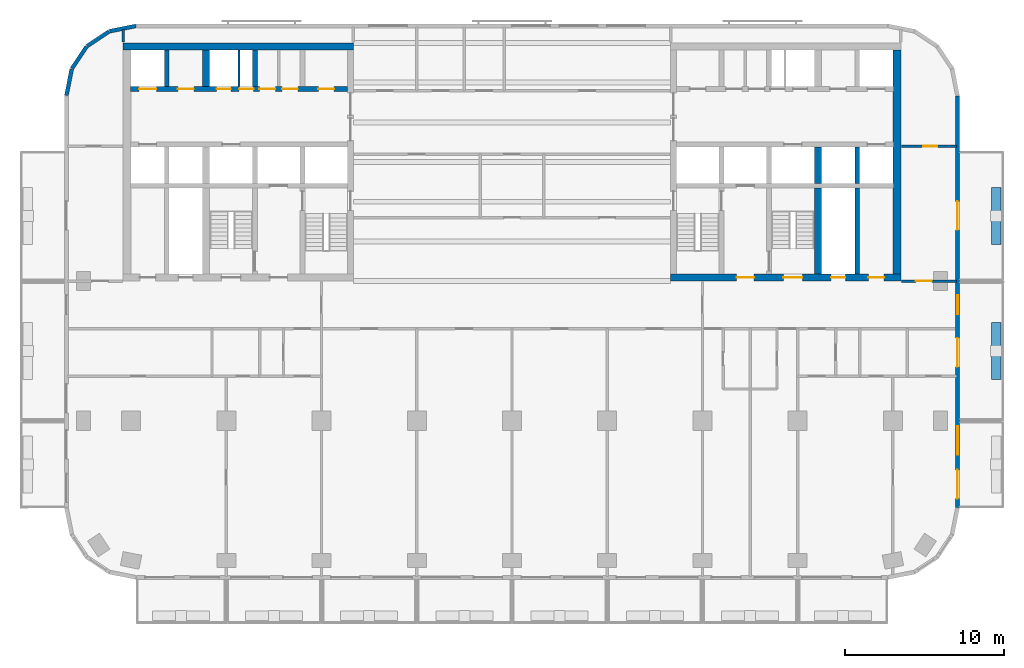
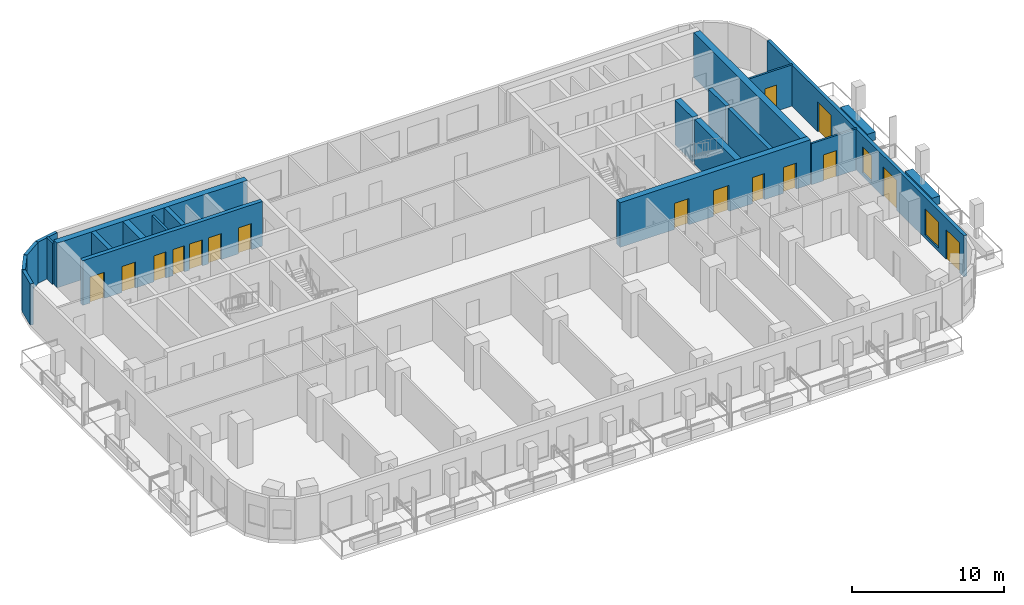
# One storey, part 6 of 11: 22 walls, 16 doors, 2 windows, 18 openings.
"""IFC4 building model written with IfcOpenShell, lengths in metres."""

from ifc_helpers import new_model, si_unit, direction, frame, frame_2d, origin, place, context, subcontext, project, spatial, rectangle, extrude, material, layer, layer_set, type_object, element, fill, save


model = new_model("IFC4")

# Units and contexts
model_context = context("Model", 3, precision=1e-05, world=origin(), true_north=direction((0.0, 1.0)))
body_context = subcontext(model_context, "Body", "Model", "MODEL_VIEW")
ifc_project = project(units=[si_unit("LENGTHUNIT", "METRE"), si_unit("AREAUNIT", "SQUARE_METRE"), si_unit("VOLUMEUNIT", "CUBIC_METRE"), si_unit("PLANEANGLEUNIT", "RADIAN"), si_unit("MASSUNIT", "GRAM", prefix="KILO")], contexts=[model_context])

# Site, building, storey
site_placement = place(None, origin())
site = spatial("IfcSite", under=ifc_project, at=site_placement, CompositionType="ELEMENT")
building_placement = place(site_placement, origin())
building = spatial("IfcBuilding", under=site, at=building_placement, Name="Torana Hotel and Residences", CompositionType="ELEMENT")
storey_placement = place(building_placement, frame((0.0, 0.0, 163.199951171875)))
storey = spatial("IfcBuildingStorey", under=building, at=storey_placement, Name="L42", CompositionType="ELEMENT", Elevation=163.199951171875)

# Wall, openings, doors
ifc_material_1 = material(Name="Concrete C70/85", Category="concrete")
ifc_layer_1 = layer(ifc_material_1, 0.300048828125)
ifc_layer_set_1 = layer_set([ifc_layer_1], Name="CORE WALL 300 C70/85")
wall_type_1 = type_object("IfcWallType", Name="CORE WALL 300 C70/85", PredefinedType="SHEAR", material=ifc_layer_set_1)
wall_1_placement = place(storey_placement, frame((-24.050048828125, -2.89990234375, 0.0), z_axis=(0.0, 0.0, 1.0), x_axis=(1.0, 0.0, 0.0)))
wall_1 = element("IfcWall", 1, at=wall_1_placement, inside=storey, type_object=wall_type_1, Name="Core wall W row-N", PredefinedType="SHEAR", context=body_context, shape_type="SweptSolid", body=[
    extrude(rectangle(XDim=13.699951171875, YDim=0.300048828125, at=frame_2d((6.85009765625, 0.0))), origin(), (0.0, 0.0, 1.0), 3.60009765625),
])
opening_1_placement = place(wall_1_placement, frame((0.550048828125, 0.0, 0.0)))
opening_1 = element("IfcOpeningElement", 2, at=opening_1_placement, cuts=wall_1, Name="Opening LD", PredefinedType="OPENING", context=body_context, shape_type="SweptSolid", body=[
    extrude(rectangle(XDim=1.10009765625, YDim=2.10009765625, at=frame_2d((0.550048828125, 1.050048828125))), frame((0.0, 0.159912109375, 0.0), z_axis=(0.0, -1.0, 0.0), x_axis=(1.0, 0.0, 0.0)), (0.0, 0.0, 1.0), 0.320068359375),
])
opening_2_placement = place(wall_1_placement, frame((6.862548828125, 0.0, 0.0)))
opening_2 = element("IfcOpeningElement", 3, at=opening_2_placement, cuts=wall_1, Name="Opening L42-08", PredefinedType="OPENING", context=body_context, shape_type="SweptSolid", body=[
    extrude(rectangle(XDim=0.89990234375, YDim=2.10009765625, at=frame_2d((0.449951171875, 1.050048828125))), frame((0.0, 0.159912109375, 0.0), z_axis=(0.0, -1.0, 0.0), x_axis=(1.0, 0.0, 0.0)), (0.0, 0.0, 1.0), 0.320068359375),
])
opening_3_placement = place(wall_1_placement, frame((5.4375, 0.0, 0.0)))
opening_3 = element("IfcOpeningElement", 4, at=opening_3_placement, cuts=wall_1, Name="Opening L42-09", PredefinedType="OPENING", context=body_context, shape_type="SweptSolid", body=[
    extrude(rectangle(XDim=0.89990234375, YDim=2.10009765625, at=frame_2d((0.449951171875, 1.050048828125))), frame((0.0, 0.159912109375, 0.0), z_axis=(0.0, -1.0, 0.0), x_axis=(1.0, 0.0, 0.0)), (0.0, 0.0, 1.0), 0.320068359375),
])
opening_4_placement = place(wall_1_placement, frame((11.85009765625, 0.0, 0.0)))
opening_4 = element("IfcOpeningElement", 5, at=opening_4_placement, cuts=wall_1, Name="Opening L42-10", PredefinedType="OPENING", context=body_context, shape_type="SweptSolid", body=[
    extrude(rectangle(XDim=1.0, YDim=2.10009765625, at=frame_2d((0.5, 1.050048828125))), frame((0.0, 0.159912109375, 0.0), z_axis=(0.0, -1.0, 0.0), x_axis=(1.0, 0.0, 0.0)), (0.0, 0.0, 1.0), 0.320068359375),
])
opening_5_placement = place(wall_1_placement, frame((9.5625, 0.0, 0.0)))
opening_5 = element("IfcOpeningElement", 6, at=opening_5_placement, cuts=wall_1, Name="Opening L42-11", PredefinedType="OPENING", context=body_context, shape_type="SweptSolid", body=[
    extrude(rectangle(XDim=1.0, YDim=2.10009765625, at=frame_2d((0.5, 1.050048828125))), frame((0.0, 0.159912109375, 0.0), z_axis=(0.0, -1.0, 0.0), x_axis=(1.0, 0.0, 0.0)), (0.0, 0.0, 1.0), 0.320068359375),
])
opening_6_placement = place(wall_1_placement, frame((8.137451171875, 0.0, 0.0)))
opening_6 = element("IfcOpeningElement", 7, at=opening_6_placement, cuts=wall_1, Name="Opening L42-12", PredefinedType="OPENING", context=body_context, shape_type="SweptSolid", body=[
    extrude(rectangle(XDim=1.0, YDim=2.10009765625, at=frame_2d((0.5, 1.050048828125))), frame((0.0, 0.159912109375, 0.0), z_axis=(0.0, -1.0, 0.0), x_axis=(1.0, 0.0, 0.0)), (0.0, 0.0, 1.0), 0.320068359375),
])
opening_7_placement = place(wall_1_placement, frame((3.0, 0.0, 0.0)))
opening_7 = element("IfcOpeningElement", 8, at=opening_7_placement, cuts=wall_1, Name="Opening L42-13", PredefinedType="OPENING", context=body_context, shape_type="SweptSolid", body=[
    extrude(rectangle(XDim=1.0, YDim=2.10009765625, at=frame_2d((0.5, 1.050048828125))), frame((0.0, 0.159912109375, 0.0), z_axis=(0.0, -1.0, 0.0), x_axis=(1.0, 0.0, 0.0)), (0.0, 0.0, 1.0), 0.320068359375),
])
ifc_material_2 = material(Name="Steel S235", Category="steel")
door_type_1 = type_object("IfcDoorType", Name="CORE ROOM FIRE DOOR D14 1000x2100", OperationType="SINGLE_SWING_LEFT", PredefinedType="DOOR", material=ifc_material_2)
door_1_placement = place(opening_4_placement, origin())
door_1 = element("IfcDoor", 9, at=door_1_placement, inside=storey, type_object=door_type_1, Name="N0 door L42", OperationType="SINGLE_SWING_RIGHT", OverallHeight=2.10009765625, OverallWidth=1.0, PredefinedType="DOOR", context=body_context, shape_type="SweptSolid", body=[
    extrude(rectangle(XDim=1.0, YDim=2.10009765625, at=frame_2d((0.5, 1.050048828125))), frame((0.0, 0.02490234375, 0.0), z_axis=(0.0, -1.0, 0.0), x_axis=(1.0, 0.0, 0.0)), (0.0, 0.0, 1.0), 0.050048828125),
])
fill(opening_4, door_1)
door_2_placement = place(opening_5_placement, origin())
door_2 = element("IfcDoor", 10, at=door_2_placement, inside=storey, type_object=door_type_1, Name="N1A door L42", OperationType="SINGLE_SWING_RIGHT", OverallHeight=2.10009765625, OverallWidth=1.0, PredefinedType="DOOR", context=body_context, shape_type="SweptSolid", body=[
    extrude(rectangle(XDim=1.0, YDim=2.10009765625, at=frame_2d((0.5, 1.050048828125))), frame((0.0, 0.02490234375, 0.0), z_axis=(0.0, -1.0, 0.0), x_axis=(1.0, 0.0, 0.0)), (0.0, 0.0, 1.0), 0.050048828125),
])
fill(opening_5, door_2)
door_3_placement = place(opening_6_placement, origin())
door_3 = element("IfcDoor", 11, at=door_3_placement, inside=storey, type_object=door_type_1, Name="N1B door L42", OperationType="SINGLE_SWING_RIGHT", OverallHeight=2.10009765625, OverallWidth=1.0, PredefinedType="DOOR", context=body_context, shape_type="SweptSolid", body=[
    extrude(rectangle(XDim=1.0, YDim=2.10009765625, at=frame_2d((0.5, 1.050048828125))), frame((0.0, 0.02490234375, 0.0), z_axis=(0.0, -1.0, 0.0), x_axis=(1.0, 0.0, 0.0)), (0.0, 0.0, 1.0), 0.050048828125),
])
fill(opening_6, door_3)
door_4_placement = place(opening_7_placement, origin())
door_4 = element("IfcDoor", 12, at=door_4_placement, inside=storey, type_object=door_type_1, Name="Freed-S1 door L42", OperationType="SINGLE_SWING_RIGHT", OverallHeight=2.10009765625, OverallWidth=1.0, PredefinedType="DOOR", context=body_context, shape_type="SweptSolid", body=[
    extrude(rectangle(XDim=1.0, YDim=2.10009765625, at=frame_2d((0.5, 1.050048828125))), frame((0.0, 0.02490234375, 0.0), z_axis=(0.0, -1.0, 0.0), x_axis=(1.0, 0.0, 0.0)), (0.0, 0.0, 1.0), 0.050048828125),
])
fill(opening_7, door_4)
ifc_material_3 = material(Name="Stainless steel 316", Category="steel")
door_type_2 = type_object("IfcDoorType", Name="LIFT LANDING DOOR LD 1100x2100", OperationType="DOUBLE_DOOR_SLIDING", PredefinedType="USERDEFINED", material=ifc_material_3)
door_5_placement = place(opening_1_placement, origin())
door_5 = element("IfcDoor", 13, at=door_5_placement, inside=storey, type_object=door_type_2, Name="Lift landing door M1 L42", ObjectType="LIFT LANDING DOOR", OperationType="DOUBLE_DOOR_SLIDING", OverallHeight=2.10009765625, OverallWidth=1.10009765625, PredefinedType="USERDEFINED", context=body_context, shape_type="SweptSolid", body=[
    extrude(rectangle(XDim=1.10009765625, YDim=2.10009765625, at=frame_2d((0.550048828125, 1.050048828125))), frame((0.0, 0.02490234375, 0.0), z_axis=(0.0, -1.0, 0.0), x_axis=(1.0, 0.0, 0.0)), (0.0, 0.0, 1.0), 0.050048828125),
])
fill(opening_1, door_5)
ifc_material_4 = material(Name="Steel S235", Category="steel")
door_type_3 = type_object("IfcDoorType", Name="RISER ACCESS DOOR D5 900x2100", OperationType="SINGLE_SWING_LEFT", PredefinedType="DOOR", material=ifc_material_4)
door_6_placement = place(opening_2_placement, origin())
door_6 = element("IfcDoor", 14, at=door_6_placement, inside=storey, type_object=door_type_3, Name="N2A door L42", OperationType="SINGLE_SWING_LEFT", OverallHeight=2.10009765625, OverallWidth=0.89990234375, PredefinedType="DOOR", context=body_context, shape_type="SweptSolid", body=[
    extrude(rectangle(XDim=0.89990234375, YDim=2.10009765625, at=frame_2d((0.449951171875, 1.050048828125))), frame((0.0, 0.02490234375, 0.0), z_axis=(0.0, -1.0, 0.0), x_axis=(1.0, 0.0, 0.0)), (0.0, 0.0, 1.0), 0.050048828125),
])
fill(opening_2, door_6)
door_7_placement = place(opening_3_placement, origin())
door_7 = element("IfcDoor", 15, at=door_7_placement, inside=storey, type_object=door_type_3, Name="N2B door L42", OperationType="SINGLE_SWING_RIGHT", OverallHeight=2.10009765625, OverallWidth=0.89990234375, PredefinedType="DOOR", context=body_context, shape_type="SweptSolid", body=[
    extrude(rectangle(XDim=0.89990234375, YDim=2.10009765625, at=frame_2d((0.449951171875, 1.050048828125))), frame((0.0, 0.02490234375, 0.0), z_axis=(0.0, -1.0, 0.0), x_axis=(1.0, 0.0, 0.0)), (0.0, 0.0, 1.0), 0.050048828125),
])
fill(opening_3, door_7)

# Walls
for number, where, z_axis, x_axis, name in (
    (16, (-16.199951171875, -2.75, 0.0), (0.0, 0.0, 1.0), (0.0, 1.0, 0.0), "Core wall W x6.05-N"),
    (17, (-21.75, -2.75, 0.0), (0.0, 0.0, 1.0), (0.0, 1.0, 0.0), "Core wall W mm-N"),
    (18, (21.75, -8.85009765625, 0.0), (0.0, 0.0, 1.0), (0.0, 1.0, 0.0), "Core wall E mm-S"),
):
    element("IfcWall", number, at=place(storey_placement, frame(where, z_axis=z_axis, x_axis=x_axis)), inside=storey, type_object=wall_type_1, Name=name, PredefinedType="SHEAR", context=body_context, shape_type="SweptSolid", body=[
        extrude(rectangle(XDim=2.300048828125, YDim=0.300048828125, at=frame_2d((1.14990234375, 0.0))), origin(), (0.0, 0.0, 1.0), 3.60009765625),
    ])
wall_2_placement = place(storey_placement, frame((21.75, -14.550048828125, 0.0), z_axis=(0.0, 0.0, 1.0), x_axis=(0.0, 1.0, 0.0)))
element("IfcWall", 19, at=wall_2_placement, inside=storey, type_object=wall_type_1, Name="Core wall E mm-band", PredefinedType="SHEAR", context=body_context, shape_type="SweptSolid", body=[
    extrude(rectangle(XDim=5.400146484375, YDim=0.300048828125, at=frame_2d((2.7001953125, 0.0))), origin(), (0.0, 0.0, 1.0), 3.60009765625),
])
ifc_material_5 = material(Name="Concrete C70/85", Category="concrete")
ifc_layer_2 = layer(ifc_material_5, 0.449951171875)
ifc_layer_set_2 = layer_set([ifc_layer_2], Name="CORE WALL 450 C70/85")
wall_type_2 = type_object("IfcWallType", Name="CORE WALL 450 C70/85", PredefinedType="SHEAR", material=ifc_layer_set_2)
wall_3_placement = place(storey_placement, frame((-24.5, -0.22509765625, 0.0), z_axis=(0.0, 0.0, 1.0), x_axis=(1.0, 0.0, 0.0)))
element("IfcWall", 20, at=wall_3_placement, inside=storey, type_object=wall_type_2, Name="Core wall W rear", PredefinedType="SHEAR", context=body_context, shape_type="SweptSolid", body=[
    extrude(rectangle(XDim=14.5, YDim=0.449951171875, at=frame_2d((7.25, 0.0))), origin(), (0.0, 0.0, 1.0), 3.60009765625),
])
wall_4_placement = place(storey_placement, frame((-19.27490234375, -2.75, 0.0), z_axis=(0.0, 0.0, 1.0), x_axis=(0.0, 1.0, 0.0)))
element("IfcWall", 21, at=wall_4_placement, inside=storey, type_object=wall_type_2, Name="Core wall W hm-N", PredefinedType="SHEAR", context=body_context, shape_type="SweptSolid", body=[
    extrude(rectangle(XDim=2.300048828125, YDim=0.449951171875, at=frame_2d((1.14990234375, 0.0))), origin(), (0.0, 0.0, 1.0), 3.60009765625),
])

# Wall, openings, doors
wall_5_placement = place(storey_placement, frame((10.0, -14.77490234375, 0.0), z_axis=(0.0, 0.0, 1.0), x_axis=(1.0, 0.0, 0.0)))
wall_5 = element("IfcWall", 22, at=wall_5_placement, inside=storey, type_object=wall_type_2, Name="Core wall E front", PredefinedType="SHEAR", context=body_context, shape_type="SweptSolid", body=[
    extrude(rectangle(XDim=14.5, YDim=0.449951171875, at=frame_2d((7.25, 0.0))), origin(), (0.0, 0.0, 1.0), 3.60009765625),
])
opening_8_placement = place(wall_5_placement, frame((7.10009765625, 0.0, 0.0)))
opening_8 = element("IfcOpeningElement", 23, at=opening_8_placement, cuts=wall_5, Name="Opening L42-19", PredefinedType="OPENING", context=body_context, shape_type="SweptSolid", body=[
    extrude(rectangle(XDim=1.199951171875, YDim=2.10009765625, at=frame_2d((0.60009765625, 1.050048828125))), frame((0.0, 0.23486328125, 0.0), z_axis=(0.0, -1.0, 0.0), x_axis=(1.0, 0.0, 0.0)), (0.0, 0.0, 1.0), 0.469970703125),
])
opening_9_placement = place(wall_5_placement, frame((4.14990234375, 0.0, 0.0)))
opening_9 = element("IfcOpeningElement", 24, at=opening_9_placement, cuts=wall_5, Name="Opening L42-20", PredefinedType="OPENING", context=body_context, shape_type="SweptSolid", body=[
    extrude(rectangle(XDim=1.10009765625, YDim=2.10009765625, at=frame_2d((0.550048828125, 1.050048828125))), frame((0.0, 0.23486328125, 0.0), z_axis=(0.0, -1.0, 0.0), x_axis=(1.0, 0.0, 0.0)), (0.0, 0.0, 1.0), 0.469970703125),
])
opening_10_placement = place(wall_5_placement, frame((10.10009765625, 0.0, 0.0)))
opening_10 = element("IfcOpeningElement", 25, at=opening_10_placement, cuts=wall_5, Name="Opening L42-21", PredefinedType="OPENING", context=body_context, shape_type="SweptSolid", body=[
    extrude(rectangle(XDim=0.89990234375, YDim=2.10009765625, at=frame_2d((0.449951171875, 1.050048828125))), frame((0.0, 0.23486328125, 0.0), z_axis=(0.0, -1.0, 0.0), x_axis=(1.0, 0.0, 0.0)), (0.0, 0.0, 1.0), 0.469970703125),
])
opening_11_placement = place(wall_5_placement, frame((12.449951171875, 0.0, 0.0)))
opening_11 = element("IfcOpeningElement", 26, at=opening_11_placement, cuts=wall_5, Name="Opening L42-22", PredefinedType="OPENING", context=body_context, shape_type="SweptSolid", body=[
    extrude(rectangle(XDim=1.0, YDim=2.10009765625, at=frame_2d((0.5, 1.050048828125))), frame((0.0, 0.23486328125, 0.0), z_axis=(0.0, -1.0, 0.0), x_axis=(1.0, 0.0, 0.0)), (0.0, 0.0, 1.0), 0.469970703125),
])
door_8_placement = place(opening_11_placement, origin())
door_8 = element("IfcDoor", 27, at=door_8_placement, inside=storey, type_object=door_type_1, Name="M-Room door L42", OperationType="SINGLE_SWING_RIGHT", OverallHeight=2.10009765625, OverallWidth=1.0, PredefinedType="DOOR", context=body_context, shape_type="SweptSolid", body=[
    extrude(rectangle(XDim=1.0, YDim=2.10009765625, at=frame_2d((0.5, 1.050048828125))), frame((0.0, 0.02490234375, 0.0), z_axis=(0.0, -1.0, 0.0), x_axis=(1.0, 0.0, 0.0)), (0.0, 0.0, 1.0), 0.050048828125),
])
fill(opening_11, door_8)
ifc_material_6 = material(Name="Steel S235", Category="steel")
door_type_4 = type_object("IfcDoorType", Name="FIRE-FIGHTING LOBBY DOOR D8 1100x2100", OperationType="SINGLE_SWING_LEFT", PredefinedType="DOOR", material=ifc_material_6)
door_9_placement = place(opening_9_placement, origin())
door_9 = element("IfcDoor", 28, at=door_9_placement, inside=storey, type_object=door_type_4, Name="FF-lobby door L42", OperationType="SINGLE_SWING_RIGHT", OverallHeight=2.10009765625, OverallWidth=1.10009765625, PredefinedType="DOOR", context=body_context, shape_type="SweptSolid", body=[
    extrude(rectangle(XDim=1.10009765625, YDim=2.10009765625, at=frame_2d((0.550048828125, 1.050048828125))), frame((0.0, 0.02490234375, 0.0), z_axis=(0.0, -1.0, 0.0), x_axis=(1.0, 0.0, 0.0)), (0.0, 0.0, 1.0), 0.050048828125),
])
fill(opening_9, door_9)
door_10_placement = place(opening_10_placement, origin())
door_10 = element("IfcDoor", 29, at=door_10_placement, inside=storey, type_object=door_type_3, Name="M-Riser door L42", OperationType="SINGLE_SWING_RIGHT", OverallHeight=2.10009765625, OverallWidth=0.89990234375, PredefinedType="DOOR", context=body_context, shape_type="SweptSolid", body=[
    extrude(rectangle(XDim=0.89990234375, YDim=2.10009765625, at=frame_2d((0.449951171875, 1.050048828125))), frame((0.0, 0.02490234375, 0.0), z_axis=(0.0, -1.0, 0.0), x_axis=(1.0, 0.0, 0.0)), (0.0, 0.0, 1.0), 0.050048828125),
])
fill(opening_10, door_10)
ifc_material_7 = material(Name="Steel S235", Category="steel")
door_type_5 = type_object("IfcDoorType", Name="STAIR FIRE DOOR D3 1200x2100", OperationType="SINGLE_SWING_LEFT", PredefinedType="DOOR", material=ifc_material_7)
door_11_placement = place(opening_8_placement, origin())
door_11 = element("IfcDoor", 30, at=door_11_placement, inside=storey, type_object=door_type_5, Name="Stair-B door L42", OperationType="SINGLE_SWING_RIGHT", OverallHeight=2.10009765625, OverallWidth=1.199951171875, PredefinedType="DOOR", context=body_context, shape_type="SweptSolid", body=[
    extrude(rectangle(XDim=1.199951171875, YDim=2.10009765625, at=frame_2d((0.60009765625, 1.050048828125))), frame((0.0, 0.02490234375, 0.0), z_axis=(0.0, -1.0, 0.0), x_axis=(1.0, 0.0, 0.0)), (0.0, 0.0, 1.0), 0.050048828125),
])
fill(opening_8, door_11)

# Walls
wall_6_placement = place(storey_placement, frame((19.27490234375, -8.85009765625, 0.0), z_axis=(0.0, 0.0, 1.0), x_axis=(0.0, 1.0, 0.0)))
element("IfcWall", 31, at=wall_6_placement, inside=storey, type_object=wall_type_2, Name="Core wall E hm-S", PredefinedType="SHEAR", context=body_context, shape_type="SweptSolid", body=[
    extrude(rectangle(XDim=2.300048828125, YDim=0.449951171875, at=frame_2d((1.14990234375, 0.0))), origin(), (0.0, 0.0, 1.0), 3.60009765625),
])
wall_7_placement = place(storey_placement, frame((19.27490234375, -14.550048828125, 0.0), z_axis=(0.0, 0.0, 1.0), x_axis=(0.0, 1.0, 0.0)))
element("IfcWall", 32, at=wall_7_placement, inside=storey, type_object=wall_type_2, Name="Core wall E hm-band", PredefinedType="SHEAR", context=body_context, shape_type="SweptSolid", body=[
    extrude(rectangle(XDim=5.400146484375, YDim=0.449951171875, at=frame_2d((2.7001953125, 0.0))), origin(), (0.0, 0.0, 1.0), 3.60009765625),
])
ifc_material_8 = material(Name="Concrete C70/85", Category="concrete")
ifc_layer_3 = layer(ifc_material_8, 0.5)
ifc_layer_set_3 = layer_set([ifc_layer_3], Name="CORE WALL 500 C70/85")
wall_type_3 = type_object("IfcWallType", Name="CORE WALL 500 C70/85", PredefinedType="SHEAR", material=ifc_layer_set_3)
wall_8_placement = place(storey_placement, frame((24.25, -14.550048828125, 0.0), z_axis=(0.0, 0.0, 1.0), x_axis=(0.0, 1.0, 0.0)))
element("IfcWall", 33, at=wall_8_placement, inside=storey, type_object=wall_type_3, Name="Core wall E outer", PredefinedType="SHEAR", context=body_context, shape_type="SweptSolid", body=[
    extrude(rectangle(XDim=14.10009765625, YDim=0.5, at=frame_2d((7.050048828125, 0.0))), origin(), (0.0, 0.0, 1.0), 3.60009765625),
])
ifc_material_9 = material(Name="Black aluminium composite panel", Category="aluminium")
ifc_layer_4 = layer(ifc_material_9, 0.00390625, Name="Cladding", Category="cladding")
ifc_material_10 = material(Name="Ventilated air cavity")
ifc_layer_5 = layer(ifc_material_10, 0.0400390625, Name="Ventilated cavity", Category="cavity")
ifc_material_11 = material(Name="Mineral wool insulation")
ifc_layer_6 = layer(ifc_material_11, 0.090087890625, Name="Insulation", Category="insulation")
ifc_material_12 = material(Name="Steel S280GD", Category="steel")
ifc_layer_7 = layer(ifc_material_12, 0.092041015625, Name="Steel stud frame", Category="structure")
ifc_material_13 = material(Name="Fire rated plasterboard")
ifc_layer_8 = layer(ifc_material_13, 0.011962890625, Name="Inner board", Category="finish")
ifc_layer_9 = layer(ifc_material_13, 0.011962890625, Name="Second board", Category="finish")
ifc_layer_set_4 = layer_set([ifc_layer_4, ifc_layer_5, ifc_layer_6, ifc_layer_7, ifc_layer_8, ifc_layer_9], Name="EW1 EXTERNAL WALL BLACK METAL CLAD 250")
wall_type_4 = type_object("IfcWallType", Name="EW1 EXTERNAL WALL BLACK METAL CLAD 250", PredefinedType="SOLIDWALL", material=ifc_layer_set_4)
wall_9_placement = place(storey_placement, frame((-23.69970703125, 1.072509765625, 0.0), z_axis=(0.0, 0.0, 1.0), x_axis=(-0.980803419081, -0.194999110559, 0.0)))
element("IfcWall", 34, at=wall_9_placement, inside=storey, type_object=wall_type_4, Name="External wall L42 e0.5", PredefinedType="SOLIDWALL", context=body_context, shape_type="SweptSolid", body=[
    extrude(rectangle(XDim=1.681396484375, YDim=0.25, at=frame_2d((0.8408203125, 0.0))), origin(), (0.0, 0.0, 1.0), 3.320068359375),
])
for number, where, z_axis, x_axis, name in (
    (35, (-25.39404296875, 0.725830078125, 0.0), (0.0, 0.0, 1.0), (-0.831482937015, -0.55555029066, 0.0), "External wall L42 e0.6"),
    (36, (-26.8056640625, -0.228759765625, 0.0), (0.0, 0.0, 1.0), (-0.55555029066, -0.831482937015, 0.0), "External wall L42 e0.7"),
):
    element("IfcWall", number, at=place(storey_placement, frame(where, z_axis=z_axis, x_axis=x_axis)), inside=storey, type_object=wall_type_4, Name=name, PredefinedType="SOLIDWALL", context=body_context, shape_type="SweptSolid", body=[
        extrude(rectangle(XDim=1.65625, YDim=0.25, at=frame_2d((0.828125, 0.0))), origin(), (0.0, 0.0, 1.0), 3.320068359375),
    ])
wall_10_placement = place(storey_placement, frame((-27.74462890625, -1.651123046875, 0.0), z_axis=(0.0, 0.0, 1.0), x_axis=(-0.194999110559, -0.980803419081, 0.0)))
element("IfcWall", 37, at=wall_10_placement, inside=storey, type_object=wall_type_4, Name="External wall L42 e0.8", PredefinedType="SOLIDWALL", context=body_context, shape_type="SweptSolid", body=[
    extrude(rectangle(XDim=1.681396484375, YDim=0.25, at=frame_2d((0.8408203125, 0.0))), origin(), (0.0, 0.0, 1.0), 3.320068359375),
])

# Wall, openings, doors, windows
wall_11_placement = place(storey_placement, frame((28.074951171875, -29.275390625, 0.0), z_axis=(0.0, 0.0, 1.0), x_axis=(0.0, 1.0, 0.0)))
wall_11 = element("IfcWall", 38, at=wall_11_placement, inside=storey, type_object=wall_type_4, Name="External wall L42 e0.19", PredefinedType="SOLIDWALL", context=body_context, shape_type="SweptSolid", body=[
    extrude(rectangle(XDim=25.95068359375, YDim=0.25, at=frame_2d((12.975341796875, 0.0))), origin(), (0.0, 0.0, 1.0), 3.320068359375),
])
opening_12_placement = place(wall_11_placement, frame((0.575439453125, 0.0, 0.0)))
opening_12 = element("IfcOpeningElement", 39, at=opening_12_placement, cuts=wall_11, Name="Opening L42-E09", PredefinedType="OPENING", context=body_context, shape_type="SweptSolid", body=[
    extrude(rectangle(XDim=1.800048828125, YDim=2.39990234375, at=frame_2d((0.89990234375, 1.199951171875))), frame((0.0, 0.135009765625, 0.0), z_axis=(0.0, -1.0, 0.0), x_axis=(1.0, 0.0, 0.0)), (0.0, 0.0, 1.0), 0.27001953125),
])
opening_13_placement = place(wall_11_placement, frame((3.325439453125, 0.0, 0.300048828125)))
opening_13 = element("IfcOpeningElement", 40, at=opening_13_placement, cuts=wall_11, Name="Opening W2", PredefinedType="OPENING", context=body_context, shape_type="SweptSolid", body=[
    extrude(rectangle(XDim=1.800048828125, YDim=2.10009765625, at=frame_2d((0.89990234375, 1.050048828125))), frame((0.0, 0.135009765625, 0.0), z_axis=(0.0, -1.0, 0.0), x_axis=(1.0, 0.0, 0.0)), (0.0, 0.0, 1.0), 0.27001953125),
])
opening_14_placement = place(wall_11_placement, frame((8.87548828125, 0.0, 0.0)))
opening_14 = element("IfcOpeningElement", 41, at=opening_14_placement, cuts=wall_11, Name="Opening L42-E10", PredefinedType="OPENING", context=body_context, shape_type="SweptSolid", body=[
    extrude(rectangle(XDim=1.800048828125, YDim=2.39990234375, at=frame_2d((0.89990234375, 1.199951171875))), frame((0.0, 0.135009765625, 0.0), z_axis=(0.0, -1.0, 0.0), x_axis=(1.0, 0.0, 0.0)), (0.0, 0.0, 1.0), 0.27001953125),
])
opening_15_placement = place(wall_11_placement, frame((12.17529296875, 0.0, 0.300048828125)))
opening_15 = element("IfcOpeningElement", 42, at=opening_15_placement, cuts=wall_11, Name="Opening W7", PredefinedType="OPENING", context=body_context, shape_type="SweptSolid", body=[
    extrude(rectangle(XDim=1.199951171875, YDim=2.10009765625, at=frame_2d((0.60009765625, 1.050048828125))), frame((0.0, 0.135009765625, 0.0), z_axis=(0.0, -1.0, 0.0), x_axis=(1.0, 0.0, 0.0)), (0.0, 0.0, 1.0), 0.27001953125),
])
opening_16_placement = place(wall_11_placement, frame((17.50048828125, 0.0, 0.0)))
opening_16 = element("IfcOpeningElement", 43, at=opening_16_placement, cuts=wall_11, Name="Opening L42-E11", PredefinedType="OPENING", context=body_context, shape_type="SweptSolid", body=[
    extrude(rectangle(XDim=1.800048828125, YDim=2.39990234375, at=frame_2d((0.89990234375, 1.199951171875))), frame((0.0, 0.135009765625, 0.0), z_axis=(0.0, -1.0, 0.0), x_axis=(1.0, 0.0, 0.0)), (0.0, 0.0, 1.0), 0.27001953125),
])
ifc_material_14 = material(Name="Dark glass in black aluminium frame", Category="aluminium")
door_type_6 = type_object("IfcDoorType", Name="DB1 BALCONY DOOR 1800x2400", OperationType="DOUBLE_DOOR_SINGLE_SWING", PredefinedType="DOOR", material=ifc_material_14)
door_12_placement = place(opening_12_placement, origin())
door_12 = element("IfcDoor", 44, at=door_12_placement, inside=storey, type_object=door_type_6, Name="Balcony door L42", OperationType="DOUBLE_DOOR_SINGLE_SWING", OverallHeight=2.39990234375, OverallWidth=1.800048828125, PredefinedType="DOOR", context=body_context, shape_type="SweptSolid", body=[
    extrude(rectangle(XDim=1.800048828125, YDim=2.39990234375, at=frame_2d((0.89990234375, 1.199951171875))), frame((0.0, 0.02490234375, 0.0), z_axis=(0.0, -1.0, 0.0), x_axis=(1.0, 0.0, 0.0)), (0.0, 0.0, 1.0), 0.050048828125),
])
fill(opening_12, door_12)
door_13_placement = place(opening_14_placement, origin())
door_13 = element("IfcDoor", 45, at=door_13_placement, inside=storey, type_object=door_type_6, Name="Balcony door L42", OperationType="DOUBLE_DOOR_SINGLE_SWING", OverallHeight=2.39990234375, OverallWidth=1.800048828125, PredefinedType="DOOR", context=body_context, shape_type="SweptSolid", body=[
    extrude(rectangle(XDim=1.800048828125, YDim=2.39990234375, at=frame_2d((0.89990234375, 1.199951171875))), frame((0.0, 0.02490234375, 0.0), z_axis=(0.0, -1.0, 0.0), x_axis=(1.0, 0.0, 0.0)), (0.0, 0.0, 1.0), 0.050048828125),
])
fill(opening_14, door_13)
door_14_placement = place(opening_16_placement, origin())
door_14 = element("IfcDoor", 46, at=door_14_placement, inside=storey, type_object=door_type_6, Name="Balcony door L42", OperationType="DOUBLE_DOOR_SINGLE_SWING", OverallHeight=2.39990234375, OverallWidth=1.800048828125, PredefinedType="DOOR", context=body_context, shape_type="SweptSolid", body=[
    extrude(rectangle(XDim=1.800048828125, YDim=2.39990234375, at=frame_2d((0.89990234375, 1.199951171875))), frame((0.0, 0.02490234375, 0.0), z_axis=(0.0, -1.0, 0.0), x_axis=(1.0, 0.0, 0.0)), (0.0, 0.0, 1.0), 0.050048828125),
])
fill(opening_16, door_14)
ifc_material_15 = material(Name="Dark glass in black aluminium frame", Category="aluminium")
window_type_1 = type_object("IfcWindowType", Name="W2 HOTEL ROOM WINDOW NARROW 1800x2100", PartitioningType="SINGLE_PANEL", PredefinedType="WINDOW", material=ifc_material_15)
window_1_placement = place(opening_13_placement, origin())
window_1 = element("IfcWindow", 47, at=window_1_placement, inside=storey, type_object=window_type_1, Name="Window L42", OverallHeight=2.10009765625, OverallWidth=1.800048828125, PartitioningType="SINGLE_PANEL", PredefinedType="WINDOW", context=body_context, shape_type="SweptSolid", body=[
    extrude(rectangle(XDim=1.800048828125, YDim=2.10009765625, at=frame_2d((0.89990234375, 1.050048828125))), frame((0.0, 0.030029296875, 0.0), z_axis=(0.0, -1.0, 0.0), x_axis=(1.0, 0.0, 0.0)), (0.0, 0.0, 1.0), 0.06005859375),
])
fill(opening_13, window_1)
ifc_material_16 = material(Name="Dark glass in black aluminium frame", Category="aluminium")
window_type_2 = type_object("IfcWindowType", Name="W7 HOTEL CORRIDOR WINDOW 1200x2100", PartitioningType="SINGLE_PANEL", PredefinedType="WINDOW", material=ifc_material_16)
window_2_placement = place(opening_15_placement, origin())
window_2 = element("IfcWindow", 48, at=window_2_placement, inside=storey, type_object=window_type_2, Name="Window L42", OverallHeight=2.10009765625, OverallWidth=1.199951171875, PartitioningType="SINGLE_PANEL", PredefinedType="WINDOW", context=body_context, shape_type="SweptSolid", body=[
    extrude(rectangle(XDim=1.199951171875, YDim=2.10009765625, at=frame_2d((0.60009765625, 1.050048828125))), frame((0.0, 0.030029296875, 0.0), z_axis=(0.0, -1.0, 0.0), x_axis=(1.0, 0.0, 0.0)), (0.0, 0.0, 1.0), 0.06005859375),
])
fill(opening_15, window_2)

# Wall
ifc_material_17 = material(Name="Gypsum plaster")
ifc_layer_10 = layer(ifc_material_17, 0.014892578125, Name="Plaster", Category="finish")
ifc_material_18 = material(Name="Concrete blockwork", Category="masonry")
ifc_layer_11 = layer(ifc_material_18, 0.1201171875, Name="Blockwork", Category="structure")
ifc_layer_12 = layer(ifc_material_17, 0.014892578125, Name="Plaster", Category="finish")
ifc_layer_set_5 = layer_set([ifc_layer_10, ifc_layer_11, ifc_layer_12], Name="FIRE PARTITION 150 BLOCKWORK")
wall_type_5 = type_object("IfcWallType", Name="FIRE PARTITION 150 BLOCKWORK", PredefinedType="PARTITIONING", material=ifc_layer_set_5)
wall_12_placement = place(storey_placement, frame((-17.199951171875, -2.75, 0.0), z_axis=(0.0, 0.0, 1.0), x_axis=(0.0, 1.0, 0.0)))
element("IfcWall", 49, at=wall_12_placement, inside=storey, type_object=wall_type_5, Name="Core partition L42", PredefinedType="PARTITIONING", context=body_context, shape_type="SweptSolid", body=[
    extrude(rectangle(XDim=2.300048828125, YDim=0.14990234375, at=frame_2d((1.14990234375, 0.0))), origin(), (0.0, 0.0, 1.0), 3.300048828125),
])

# Wall, opening, door
wall_13_placement = place(storey_placement, frame((24.550048828125, -15.0, 0.0), z_axis=(0.0, 0.0, 1.0), x_axis=(1.0, 0.0, 0.0)))
wall_13 = element("IfcWall", 50, at=wall_13_placement, inside=storey, type_object=wall_type_5, Name="Partition L42", PredefinedType="PARTITIONING", context=body_context, shape_type="SweptSolid", body=[
    extrude(rectangle(XDim=3.469970703125, YDim=0.14990234375, at=frame_2d((1.73486328125, 0.0))), origin(), (0.0, 0.0, 1.0), 3.320068359375),
])
opening_17_placement = place(wall_13_placement, frame((0.89990234375, 0.0, 0.0)))
opening_17 = element("IfcOpeningElement", 51, at=opening_17_placement, cuts=wall_13, Name="Opening L42-38", PredefinedType="OPENING", context=body_context, shape_type="SweptSolid", body=[
    extrude(rectangle(XDim=1.0, YDim=2.10009765625, at=frame_2d((0.5, 1.050048828125))), frame((0.0, 0.0849609375, 0.0), z_axis=(0.0, -1.0, 0.0), x_axis=(1.0, 0.0, 0.0)), (0.0, 0.0, 1.0), 0.169921875),
])
door_15_placement = place(opening_17_placement, origin())
door_15 = element("IfcDoor", 52, at=door_15_placement, inside=storey, type_object=door_type_1, Name="Door L42", OperationType="SINGLE_SWING_LEFT", OverallHeight=2.10009765625, OverallWidth=1.0, PredefinedType="DOOR", context=body_context, shape_type="SweptSolid", body=[
    extrude(rectangle(XDim=1.0, YDim=2.10009765625, at=frame_2d((0.5, 1.050048828125))), frame((0.0, 0.02490234375, 0.0), z_axis=(0.0, -1.0, 0.0), x_axis=(1.0, 0.0, 0.0)), (0.0, 0.0, 1.0), 0.050048828125),
])
fill(opening_17, door_15)

# Wall
ifc_material_19 = material(Name="Gypsum plasterboard")
ifc_layer_13 = layer(ifc_material_19, 0.012451171875, Name="Plasterboard", Category="finish")
ifc_layer_14 = layer(ifc_material_19, 0.012451171875, Name="Plasterboard", Category="finish")
ifc_layer_15 = layer(ifc_material_12, 0.10009765625, Name="Steel studs with mineral wool", Category="insulation")
ifc_layer_16 = layer(ifc_material_19, 0.012451171875, Name="Plasterboard", Category="finish")
ifc_layer_17 = layer(ifc_material_19, 0.012451171875, Name="Plasterboard", Category="finish")
ifc_layer_set_6 = layer_set([ifc_layer_13, ifc_layer_14, ifc_layer_15, ifc_layer_16, ifc_layer_17], Name="PARTITION 150 PLASTERBOARD")
wall_type_6 = type_object("IfcWallType", Name="PARTITION 150 PLASTERBOARD", PredefinedType="PARTITIONING", material=ifc_layer_set_6)
wall_14_placement = place(storey_placement, frame((-24.5, 0.050048828125, 0.0), z_axis=(0.0, 0.0, 1.0), x_axis=(0.0, 1.0, 0.0)))
element("IfcWall", 53, at=wall_14_placement, inside=storey, type_object=wall_type_6, Name="Partition L42", PredefinedType="PARTITIONING", context=body_context, shape_type="SweptSolid", body=[
    extrude(rectangle(XDim=0.807373046875, YDim=0.14990234375, at=frame_2d((0.40380859375, 0.0))), origin(), (0.0, 0.0, 1.0), 3.320068359375),
])

# Wall, opening, door
wall_15_placement = place(storey_placement, frame((24.550048828125, -6.5, 0.0), z_axis=(0.0, 0.0, 1.0), x_axis=(1.0, 0.0, 0.0)))
wall_15 = element("IfcWall", 54, at=wall_15_placement, inside=storey, type_object=wall_type_6, Name="Partition L42", PredefinedType="PARTITIONING", context=body_context, shape_type="SweptSolid", body=[
    extrude(rectangle(XDim=3.469970703125, YDim=0.14990234375, at=frame_2d((1.73486328125, 0.0))), origin(), (0.0, 0.0, 1.0), 3.320068359375),
])
opening_18_placement = place(wall_15_placement, frame((1.35009765625, 0.0, 0.0)))
opening_18 = element("IfcOpeningElement", 55, at=opening_18_placement, cuts=wall_15, Name="Opening L42-64", PredefinedType="OPENING", context=body_context, shape_type="SweptSolid", body=[
    extrude(rectangle(XDim=0.89990234375, YDim=2.10009765625, at=frame_2d((0.449951171875, 1.050048828125))), frame((0.0, 0.0849609375, 0.0), z_axis=(0.0, -1.0, 0.0), x_axis=(1.0, 0.0, 0.0)), (0.0, 0.0, 1.0), 0.169921875),
])
ifc_material_20 = material(Name="Timber door, oiled ash", Category="wood")
door_type_7 = type_object("IfcDoorType", Name="ROOM DOOR D7 900x2100", OperationType="SINGLE_SWING_LEFT", PredefinedType="DOOR", material=ifc_material_20)
door_16_placement = place(opening_18_placement, origin())
door_16 = element("IfcDoor", 56, at=door_16_placement, inside=storey, type_object=door_type_7, Name="Door L42", OperationType="SINGLE_SWING_LEFT", OverallHeight=2.10009765625, OverallWidth=0.89990234375, PredefinedType="DOOR", context=body_context, shape_type="SweptSolid", body=[
    extrude(rectangle(XDim=0.89990234375, YDim=2.10009765625, at=frame_2d((0.449951171875, 1.050048828125))), frame((0.0, 0.02490234375, 0.0), z_axis=(0.0, -1.0, 0.0), x_axis=(1.0, 0.0, 0.0)), (0.0, 0.0, 1.0), 0.050048828125),
])
fill(opening_18, door_16)

# Walls
ifc_material_21 = material(Name="Concrete C40/50 precast", Category="concrete")
ifc_layer_18 = layer(ifc_material_21, 0.10009765625, Name="Planter shell", Category="structure")
ifc_material_22 = material(Name="Root resistant membrane")
ifc_layer_19 = layer(ifc_material_22, 0.00390625, Name="Waterproofing membrane", Category="membrane")
ifc_material_23 = material(Name="Drainage board with filter fleece")
ifc_layer_20 = layer(ifc_material_23, 0.02001953125, Name="Drainage board", Category="drainage")
ifc_material_24 = material(Name="Growing medium")
ifc_layer_21 = layer(ifc_material_24, 0.47607421875, Name="Planting substrate", Category="soil")
ifc_layer_set_7 = layer_set([ifc_layer_18, ifc_layer_19, ifc_layer_20, ifc_layer_21], Name="PL1 BALCONY PLANTER 600")
wall_type_7 = type_object("IfcWallType", Name="PL1 BALCONY PLANTER 600", PredefinedType="USERDEFINED", material=ifc_layer_set_7)
for number, where, z_axis, x_axis, name in (
    (57, (30.5, -17.60009765625, 0.0), (0.0, 0.0, 1.0), (0.0, -1.0, 0.0), "Planter 13"),
    (58, (30.5, -9.10009765625, 0.0), (0.0, 0.0, 1.0), (0.0, -1.0, 0.0), "Planter 14"),
):
    element("IfcWall", number, at=place(storey_placement, frame(where, z_axis=z_axis, x_axis=x_axis)), inside=storey, type_object=wall_type_7, Name=name, ObjectType="PLANTER", PredefinedType="USERDEFINED", context=body_context, shape_type="SweptSolid", body=[
        extrude(rectangle(XDim=3.599853515625, YDim=0.60009765625, at=frame_2d((1.7998046875, 0.0))), origin(), (0.0, 0.0, 1.0), 0.650146484375),
    ])

save(model, "model.ifc")
